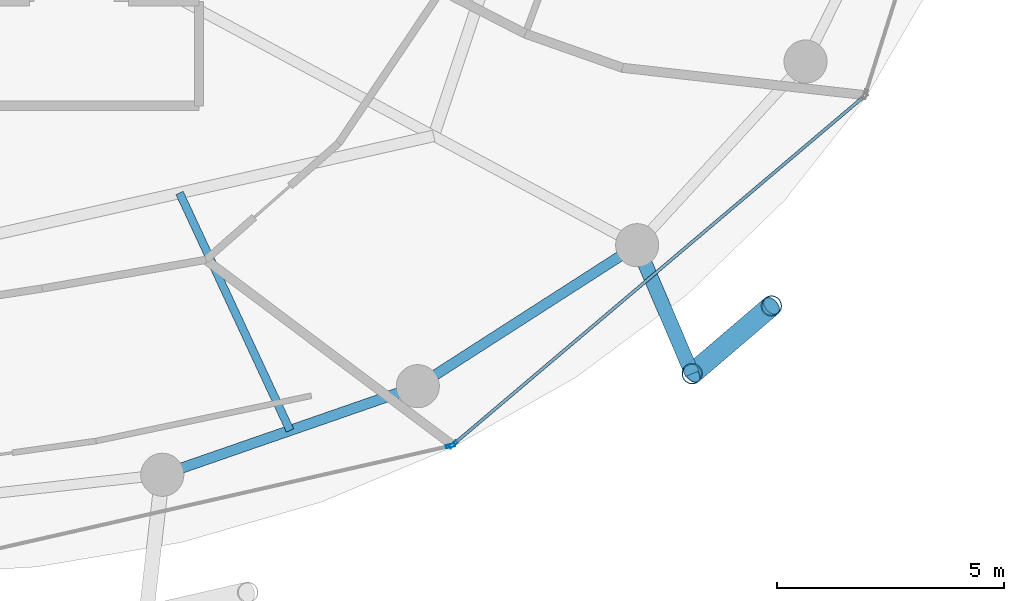
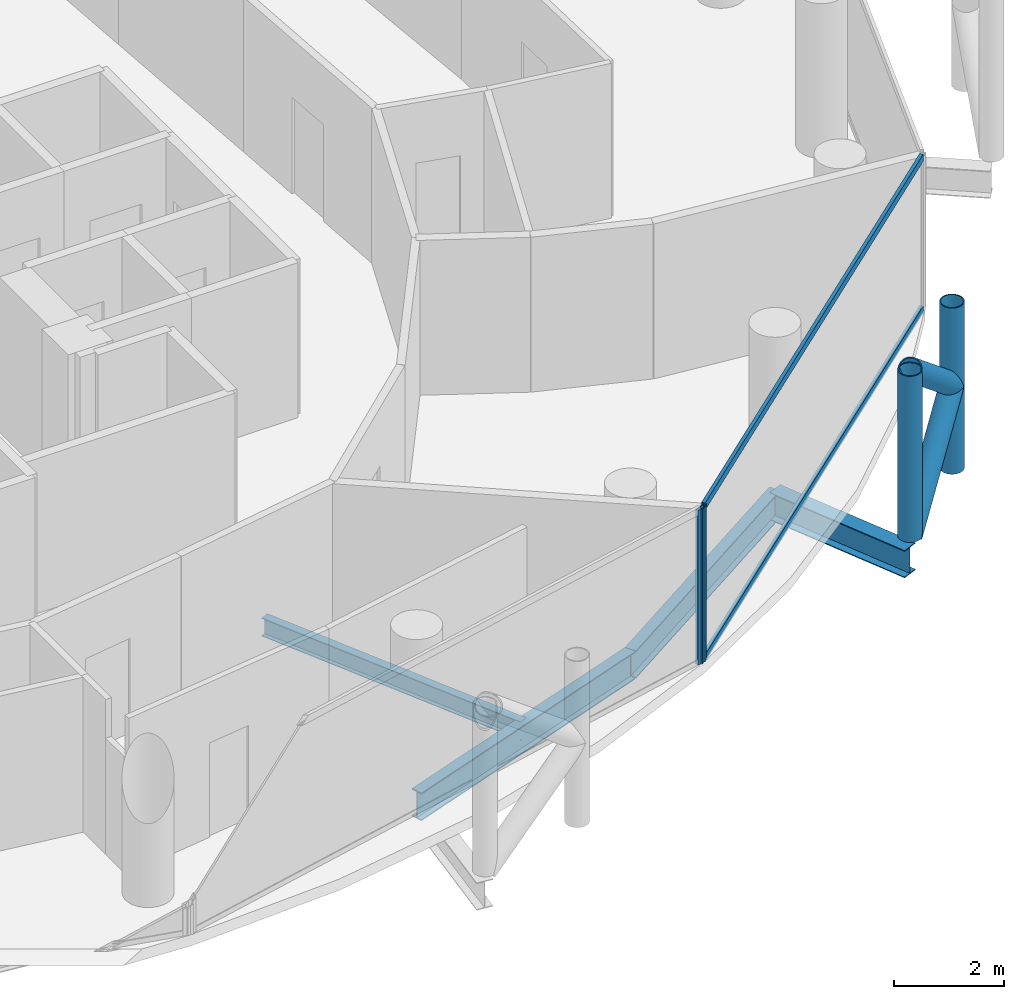
# One storey, part 8 of 26: 8 members, 4 beams, 2 elements without a shape of their own.
"""IFC4 building model written with IfcOpenShell, lengths in metres."""

from ifc_helpers import new_model, si_unit, direction, frame, origin, origin_2d, place, context, subcontext, project, spatial, hollow_rectangle, hollow_circle, i_section, extrude, material, layer, layer_set, material_profile, profile_set, type_object, element, aggregate, save


model = new_model("IFC4")

# Units and contexts
model_context = context("Model", 3, precision=1e-05, world=origin(), true_north=direction((0.0, 1.0)))
body_context = subcontext(model_context, "Body", "Model", "MODEL_VIEW")
ifc_project = project(units=[si_unit("LENGTHUNIT", "METRE"), si_unit("AREAUNIT", "SQUARE_METRE"), si_unit("VOLUMEUNIT", "CUBIC_METRE"), si_unit("PLANEANGLEUNIT", "RADIAN"), si_unit("MASSUNIT", "GRAM", prefix="KILO")], contexts=[model_context])

# Site, building, storey
site_placement = place(None, origin())
site = spatial("IfcSite", under=ifc_project, at=site_placement, CompositionType="ELEMENT")
building_placement = place(site_placement, origin())
building = spatial("IfcBuilding", under=site, at=building_placement, Name="Nuhasar Tower", CompositionType="ELEMENT")
storey_placement = place(building_placement, frame((0.0, 0.0, 129.35009765625)))
storey = spatial("IfcBuildingStorey", under=building, at=storey_placement, Name="L30", CompositionType="ELEMENT", Elevation=129.35009765625)

# Beams
ifc_material_1 = material(Name="Steel S355", Category="steel")
ifc_material_profile_1 = material_profile(ifc_material_1, i_section(OverallWidth=0.177978515625, OverallDepth=0.406005859375, WebThickness=0.0078125, FlangeThickness=0.0126953125, at=origin_2d()), Name="W16X40")
ifc_profile_set_1 = profile_set([ifc_material_profile_1], Name="Steel S355")
beam_type_1 = type_object("IfcBeamType", Name="BM-JST-W16X40", PredefinedType="JOIST", material=ifc_profile_set_1)
beam_1_placement = place(storey_placement, frame((45.424072265625, 14.1279296875, -0.453125), z_axis=(0.421729941201, -0.906721487941, 0.0), x_axis=(0.906721487941, 0.421729941201, 0.0)))
element("IfcBeam", 1, at=beam_1_placement, inside=storey, type_object=beam_type_1, Name="L30 Secondary Floor Joist 02", PredefinedType="JOIST", context=body_context, shape_type="SweptSolid", body=[
    extrude(i_section(OverallWidth=0.177978515625, OverallDepth=0.406005859375, WebThickness=0.0078125, FlangeThickness=0.0126953125, at=origin_2d()), origin(), (0.0, 0.0, 1.0), 5.7734375),
])
ifc_material_profile_2 = material_profile(ifc_material_1, i_section(OverallWidth=0.22998046875, OverallDepth=0.616943359375, WebThickness=0.01318359375, FlangeThickness=0.022216796875, at=origin_2d()), Name="W24X94")
ifc_profile_set_2 = profile_set([ifc_material_profile_2], Name="Steel S355")
beam_type_2 = type_object("IfcBeamType", Name="BM-RING-W24X94", PredefinedType="SPANDREL", material=ifc_profile_set_2)
beam_2_placement = place(storey_placement, frame((45.04296875, 7.916015625, -0.55908203125), z_axis=(0.944814057608, 0.327607076458, 0.0), x_axis=(-0.327607076458, 0.944814057608, 0.0)))
element("IfcBeam", 2, at=beam_2_placement, inside=storey, type_object=beam_type_2, Name="L30 Perimeter Ring Spandrel 20", PredefinedType="SPANDREL", context=body_context, shape_type="SweptSolid", body=[
    extrude(i_section(OverallWidth=0.22998046875, OverallDepth=0.616943359375, WebThickness=0.01318359375, FlangeThickness=0.022216796875, at=origin_2d()), origin(), (0.0, 0.0, 1.0), 5.9609375),
])
beam_3_placement = place(storey_placement, frame((50.675048828125, 9.868896484375, -0.55908203125), z_axis=(0.841308170616, 0.540555789955, 0.0), x_axis=(-0.540555789955, 0.841308170616, 0.0)))
element("IfcBeam", 3, at=beam_3_placement, inside=storey, type_object=beam_type_2, Name="L30 Perimeter Ring Spandrel 21", PredefinedType="SPANDREL", context=body_context, shape_type="SweptSolid", body=[
    extrude(i_section(OverallWidth=0.22998046875, OverallDepth=0.616943359375, WebThickness=0.01318359375, FlangeThickness=0.022216796875, at=origin_2d()), origin(), (0.0, 0.0, 1.0), 5.748046875),
])
ifc_material_profile_3 = material_profile(ifc_material_1, i_section(OverallWidth=0.323974609375, OverallDepth=0.611083984375, WebThickness=0.0126953125, FlangeThickness=0.01904296875, at=origin_2d()), Name="W24X104")
ifc_profile_set_3 = profile_set([ifc_material_profile_3], Name="Steel S355")
beam_type_3 = type_object("IfcBeamType", Name="BM-TIE-W24X104", PredefinedType="BEAM", material=ifc_profile_set_3)
beam_4_placement = place(storey_placement, frame((55.510986328125, 12.97607421875, -0.55615234375), z_axis=(0.39330721304, -0.919407111225, 0.0), x_axis=(0.919407111225, 0.39330721304, 0.0)))
element("IfcBeam", 4, at=beam_4_placement, inside=storey, type_object=beam_type_3, Name="L30 Exoskeleton Node Tie Beam 11", PredefinedType="BEAM", context=body_context, shape_type="SweptSolid", body=[
    extrude(i_section(OverallWidth=0.323974609375, OverallDepth=0.611083984375, WebThickness=0.0126953125, FlangeThickness=0.01904296875, at=origin_2d()), origin(), (0.0, 0.0, 1.0), 3.081298828125),
])

# Curtain wall, member
ifc_material_2 = material(Name="Aluminium 6063-T6", Category="aluminium")
ifc_layer = layer(ifc_material_2, 0.199951171875)
ifc_layer_set = layer_set([ifc_layer], Name="Aluminium 6063-T6")
curtain_wall_type = type_object("IfcCurtainWallType", Name="CW-Z2-HTL", PredefinedType="NOTDEFINED", material=ifc_layer_set)
curtain_wall_1_placement = place(storey_placement, origin())
curtain_wall_1 = element("IfcCurtainWall", 5, at=curtain_wall_1_placement, inside=storey, type_object=curtain_wall_type, Name="L30 Unitised Curtain Wall 10", PredefinedType="NOTDEFINED")
ifc_material_profile_4 = material_profile(ifc_material_2, hollow_rectangle(XDim=0.070068359375, YDim=0.199951171875, WallThickness=0.0048828125, at=origin_2d()), Name="CWM-3")
ifc_profile_set_4 = profile_set([ifc_material_profile_4], Name="Aluminium 6063-T6")
member_type_1 = type_object("IfcMemberType", Name="CW-MUL-S3", PredefinedType="MULLION", material=ifc_profile_set_4)
member_1_placement = place(storey_placement, frame((51.395751953125, 8.55419921875, 0.0), z_axis=(0.0, 0.0, 1.0), x_axis=(-0.22139729566, 0.975183694221, 0.0)))
member_1 = element("IfcMember", 6, at=member_1_placement, type_object=member_type_1, Name="CW-Z2 mullion 2", PredefinedType="MULLION", context=body_context, shape_type="SweptSolid", body=[
    extrude(hollow_rectangle(XDim=0.070068359375, YDim=0.199951171875, WallThickness=0.0048828125, at=origin_2d()), origin(), (0.0, 0.0, 1.0), 3.449951171875),
])
aggregate(curtain_wall_1, [member_1])

# Curtain wall, members
curtain_wall_2_placement = place(storey_placement, origin())
curtain_wall_2 = element("IfcCurtainWall", 7, at=curtain_wall_2_placement, inside=storey, type_object=curtain_wall_type, Name="L30 Unitised Curtain Wall 11", PredefinedType="NOTDEFINED")
member_2_placement = place(storey_placement, frame((51.456787109375, 8.584716796875, 0.0), z_axis=(0.0, 0.0, 1.0), x_axis=(-0.646374438324, 0.763020370292, 0.0)))
member_2 = element("IfcMember", 8, at=member_2_placement, type_object=member_type_1, Name="CW-Z2 mullion 1", PredefinedType="MULLION", context=body_context, shape_type="SweptSolid", body=[
    extrude(hollow_rectangle(XDim=0.070068359375, YDim=0.199951171875, WallThickness=0.0048828125, at=origin_2d()), origin(), (0.0, 0.0, 1.0), 3.449951171875),
])
ifc_material_profile_5 = material_profile(ifc_material_2, hollow_rectangle(XDim=0.070068359375, YDim=0.159912109375, WallThickness=0.00439453125, at=origin_2d()), Name="CWT-3")
ifc_profile_set_5 = profile_set([ifc_material_profile_5], Name="Aluminium 6063-T6")
member_type_2 = type_object("IfcMemberType", Name="CW-TRN-S3", PredefinedType="USERDEFINED", material=ifc_profile_set_5)
member_3_placement = place(storey_placement, frame((51.4833984375, 8.607177734375, 0.034912109375), z_axis=(0.763013698099, 0.646382314511, 0.0), x_axis=(-0.646382314511, 0.763013698099, 0.0)))
member_3 = element("IfcMember", 9, at=member_3_placement, type_object=member_type_2, Name="CW-Z2 transom 1.1", ObjectType="TRANSOM", PredefinedType="USERDEFINED", context=body_context, shape_type="SweptSolid", body=[
    extrude(hollow_rectangle(XDim=0.070068359375, YDim=0.159912109375, WallThickness=0.00439453125, at=origin_2d()), origin(), (0.0, 0.0, 1.0), 11.78515625),
])
member_4_placement = place(storey_placement, frame((51.4833984375, 8.607177734375, 3.414794921875), z_axis=(0.763013698099, 0.646382314511, 0.0), x_axis=(-0.646382314511, 0.763013698099, 0.0)))
member_4 = element("IfcMember", 10, at=member_4_placement, type_object=member_type_2, Name="CW-Z2 transom 1.2", ObjectType="TRANSOM", PredefinedType="USERDEFINED", context=body_context, shape_type="SweptSolid", body=[
    extrude(hollow_rectangle(XDim=0.070068359375, YDim=0.159912109375, WallThickness=0.00439453125, at=origin_2d()), origin(), (0.0, 0.0, 1.0), 11.78515625),
])
aggregate(curtain_wall_2, [member_2, member_3, member_4])

# Members
ifc_material_3 = material(Name="Steel S460", Category="steel")
ifc_material_profile_6 = material_profile(ifc_material_3, hollow_circle(Radius=0.228515625, WallThickness=0.022216796875, at=origin_2d()), Name="HSS457X22.2")
ifc_profile_set_6 = profile_set([ifc_material_profile_6], Name="Steel S460")
member_type_3 = type_object("IfcMemberType", Name="EXO-BRONZE-457", PredefinedType="BRACE", material=ifc_profile_set_6)
for number, where, z_axis, x_axis, name in (
    (11, (56.722900390625, 10.14306640625, 0.0), (0.0, 0.0, 1.0), (1.0, 0.0, 0.0), "L30 Exoskeleton Chord Column EC-11A"),
    (12, (58.470947265625, 11.637939453125, 0.0), (0.0, 0.0, 1.0), (1.0, 0.0, 0.0), "L30 Exoskeleton Chord Column EC-11B"),
):
    element("IfcMember", number, at=place(storey_placement, frame(where, z_axis=z_axis, x_axis=x_axis)), inside=storey, type_object=member_type_3, Name=name, PredefinedType="BRACE", context=body_context, shape_type="SweptSolid", body=[
        extrude(hollow_circle(Radius=0.228515625, WallThickness=0.022216796875, at=origin_2d()), origin(), (0.0, 0.0, 1.0), 3.699951171875),
    ])
member_5_placement = place(storey_placement, frame((56.722900390625, 10.14306640625, 0.0), z_axis=(0.592225874743, 0.506452378638, 0.626717242029), x_axis=(-0.649925557156, 0.7599978751, 0.0)))
element("IfcMember", 13, at=member_5_placement, inside=storey, type_object=member_type_3, Name="L30 Bronze Diagrid Brace W1-11", PredefinedType="BRACE", context=body_context, shape_type="SweptSolid", body=[
    extrude(hollow_circle(Radius=0.228515625, WallThickness=0.022216796875, at=origin_2d()), origin(), (0.0, 0.0, 1.0), 2.95166015625),
])
member_6_placement = place(storey_placement, frame((58.470947265625, 11.637939453125, 1.849853515625), z_axis=(-0.592195175458, -0.506426125604, 0.626767463634), x_axis=(0.649925557156, -0.7599978751, 0.0)))
element("IfcMember", 14, at=member_6_placement, inside=storey, type_object=member_type_3, Name="L30 Bronze Diagrid Brace W2-11", PredefinedType="BRACE", context=body_context, shape_type="SweptSolid", body=[
    extrude(hollow_circle(Radius=0.228515625, WallThickness=0.022216796875, at=origin_2d()), origin(), (0.0, 0.0, 1.0), 2.951904296875),
])

save(model, "model.ifc")
